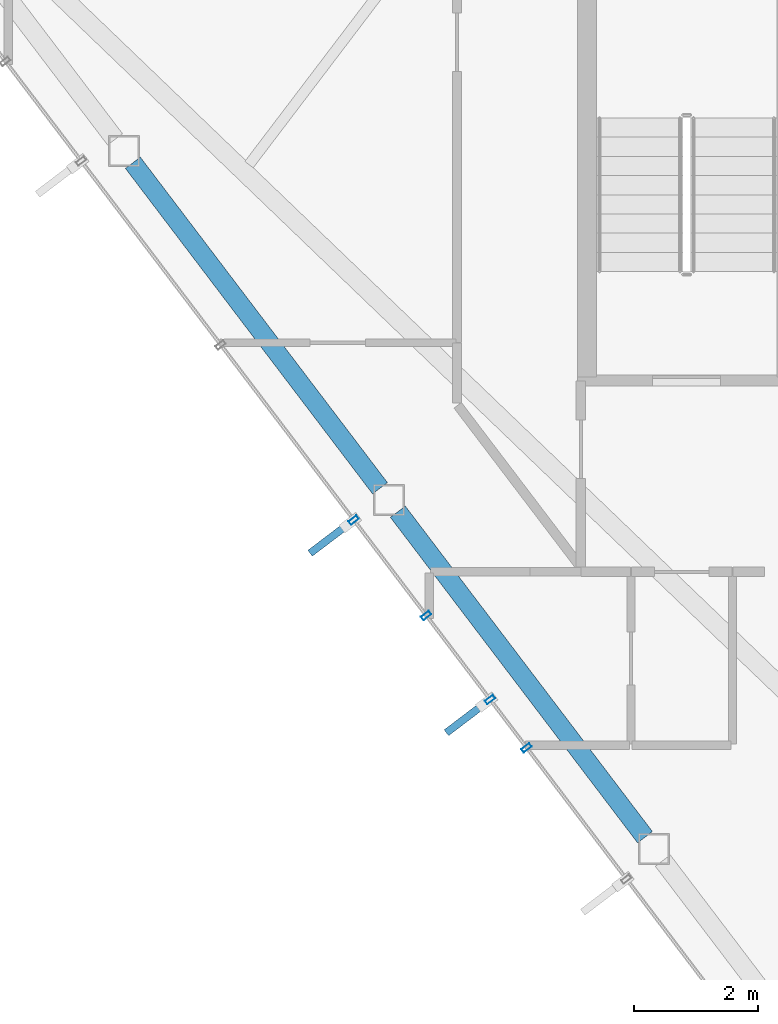
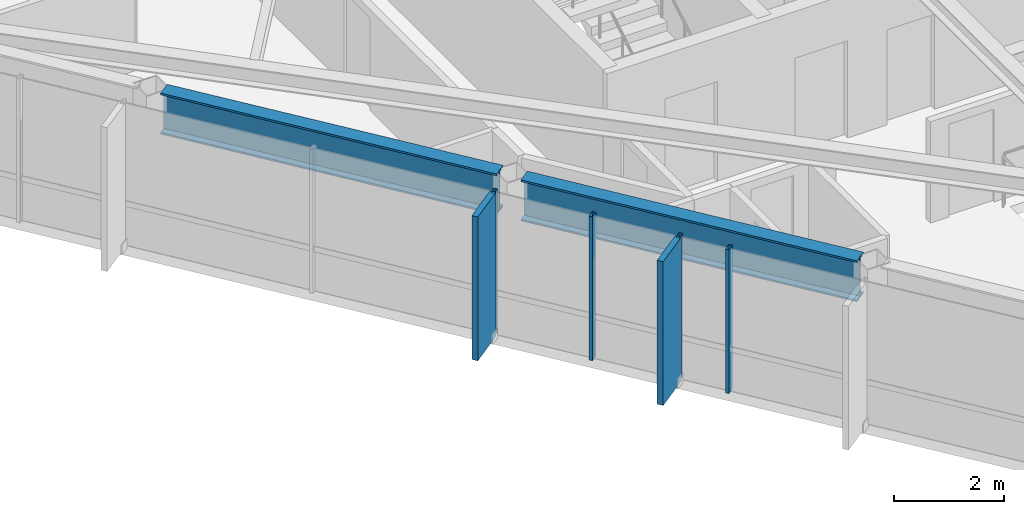
# One storey, part 3 of 24: 6 members, 2 beams, 1 element without a shape of its own.
"""IFC4 building model written with IfcOpenShell, lengths in metres."""

from ifc_helpers import new_model, si_unit, direction, frame, origin, origin_2d, place, context, subcontext, project, spatial, rectangle, hollow_rectangle, i_section, extrude, material, layer, layer_set, material_profile, profile_set, type_object, element, aggregate, save


model = new_model("IFC4")

# Units and contexts
model_context = context("Model", 3, precision=1e-05, world=origin(), true_north=direction((0.0, 1.0)))
body_context = subcontext(model_context, "Body", "Model", "MODEL_VIEW")
ifc_project = project(units=[si_unit("LENGTHUNIT", "METRE"), si_unit("AREAUNIT", "SQUARE_METRE"), si_unit("VOLUMEUNIT", "CUBIC_METRE"), si_unit("PLANEANGLEUNIT", "RADIAN"), si_unit("MASSUNIT", "GRAM", prefix="KILO")], contexts=[model_context])

# Site, building, storey
site_placement = place(None, origin())
site = spatial("IfcSite", under=ifc_project, at=site_placement, CompositionType="ELEMENT")
building_placement = place(site_placement, origin())
building = spatial("IfcBuilding", under=site, at=building_placement, Name="Zarrinselat Tower", CompositionType="ELEMENT")
storey_placement = place(building_placement, frame((0.0, 0.0, 272.0)))
storey = spatial("IfcBuildingStorey", under=building, at=storey_placement, Name="L69", CompositionType="ELEMENT", Elevation=272.0)

# Beams
ifc_material_1 = material(Name="Steel S460M", Category="steel")
ifc_material_profile_1 = material_profile(ifc_material_1, i_section(OverallWidth=0.302001953125, OverallDepth=0.909912109375, WebThickness=0.02099609375, FlangeThickness=0.0400390625, at=origin_2d()), Name="HEM 900")
ifc_profile_set_1 = profile_set([ifc_material_profile_1], Name="Steel S460M")
beam_type = type_object("IfcBeamType", Name="BM-HEM900", PredefinedType="BEAM", material=ifc_profile_set_1)
beam_1_placement = place(storey_placement, frame((21.314697265625, 36.756591796875, 2.72509765625), z_axis=(0.604776578329, -0.796395184757, 0.0), x_axis=(0.796395184757, 0.604776578329, 0.0)))
element("IfcBeam", 1, at=beam_1_placement, inside=storey, type_object=beam_type, Name="L69 Perimeter Spandrel Girder SP07", PredefinedType="BEAM", context=body_context, shape_type="SweptSolid", body=[
    extrude(i_section(OverallWidth=0.302001953125, OverallDepth=0.909912109375, WebThickness=0.02099609375, FlangeThickness=0.0400390625, at=origin_2d()), origin(), (0.0, 0.0, 1.0), 6.60107421875),
])
beam_2_placement = place(storey_placement, frame((25.5947265625, 31.12060546875, 2.72509765625), z_axis=(0.604800035021, -0.796377371375, 0.0), x_axis=(0.796377371375, 0.604800035021, 0.0)))
element("IfcBeam", 2, at=beam_2_placement, inside=storey, type_object=beam_type, Name="L69 Perimeter Spandrel Girder SP08", PredefinedType="BEAM", context=body_context, shape_type="SweptSolid", body=[
    extrude(i_section(OverallWidth=0.302001953125, OverallDepth=0.909912109375, WebThickness=0.02099609375, FlangeThickness=0.0400390625, at=origin_2d()), origin(), (0.0, 0.0, 1.0), 6.601318359375),
])

# Curtain wall, members
ifc_material_2 = material(Name="Extruded Aluminium Alloy EN AW-6063 T6", Category="aluminium")
ifc_layer = layer(ifc_material_2, 0.169921875)
ifc_layer_set = layer_set([ifc_layer], Name="Extruded Aluminium Alloy EN AW-6063 T6")
curtain_wall_type = type_object("IfcCurtainWallType", Name="CWS-RES", PredefinedType="NOTDEFINED", material=ifc_layer_set)
curtain_wall_placement = place(storey_placement, origin())
curtain_wall = element("IfcCurtainWall", 3, at=curtain_wall_placement, inside=storey, type_object=curtain_wall_type, Name="L69 Unitised Curtain Wall CW-L69-E03", PredefinedType="NOTDEFINED")
ifc_material_3 = material(Name="Extruded Aluminium Alloy EN AW-6063 T6", Category="aluminium")
ifc_material_profile_2 = material_profile(ifc_material_3, hollow_rectangle(XDim=0.070068359375, YDim=0.159912109375, WallThickness=0.00390625, at=origin_2d()), Name="RHS 160x70x4")
ifc_profile_set_2 = profile_set([ifc_material_profile_2], Name="Extruded Aluminium Alloy EN AW-6063 T6")
member_type_1 = type_object("IfcMemberType", Name="MEM-CW-MUL2", PredefinedType="MULLION", material=ifc_profile_set_2)
member_1_placement = place(storey_placement, frame((24.8818359375, 30.984619140625, 0.0), z_axis=(0.0, 0.0, 1.0), x_axis=(0.604787567266, -0.796386839721, 0.0)))
member_1 = element("IfcMember", 4, at=member_1_placement, type_object=member_type_1, Name="CW-L69-E03 Mullion 5", PredefinedType="MULLION", context=body_context, shape_type="SweptSolid", body=[
    extrude(hollow_rectangle(XDim=0.070068359375, YDim=0.159912109375, WallThickness=0.00390625, at=origin_2d()), origin(), (0.0, 0.0, 1.0), 3.179931640625),
])
member_2_placement = place(storey_placement, frame((26.05224609375, 29.443603515625, 0.0), z_axis=(0.0, 0.0, 1.0), x_axis=(0.604787567266, -0.796386839721, 0.0)))
member_2 = element("IfcMember", 5, at=member_2_placement, type_object=member_type_1, Name="CW-L69-E03 Mullion 6", PredefinedType="MULLION", context=body_context, shape_type="SweptSolid", body=[
    extrude(hollow_rectangle(XDim=0.070068359375, YDim=0.159912109375, WallThickness=0.00390625, at=origin_2d()), origin(), (0.0, 0.0, 1.0), 3.179931640625),
])
member_3_placement = place(storey_placement, frame((27.08349609375, 28.08544921875, 0.0), z_axis=(0.0, 0.0, 1.0), x_axis=(0.604787567266, -0.796386839721, 0.0)))
member_3 = element("IfcMember", 6, at=member_3_placement, type_object=member_type_1, Name="CW-L69-E03 Mullion 7", PredefinedType="MULLION", context=body_context, shape_type="SweptSolid", body=[
    extrude(hollow_rectangle(XDim=0.070068359375, YDim=0.159912109375, WallThickness=0.00390625, at=origin_2d()), origin(), (0.0, 0.0, 1.0), 3.179931640625),
])
member_4_placement = place(storey_placement, frame((27.67431640625, 27.3076171875, 0.0), z_axis=(0.0, 0.0, 1.0), x_axis=(0.604787567266, -0.796386839721, 0.0)))
member_4 = element("IfcMember", 7, at=member_4_placement, type_object=member_type_1, Name="CW-L69-E03 Mullion 8", PredefinedType="MULLION", context=body_context, shape_type="SweptSolid", body=[
    extrude(hollow_rectangle(XDim=0.070068359375, YDim=0.159912109375, WallThickness=0.00390625, at=origin_2d()), origin(), (0.0, 0.0, 1.0), 3.179931640625),
])
ifc_material_4 = material(Name="Honed Cream Travertine Stone", Category="masonry")
ifc_material_profile_3 = material_profile(ifc_material_4, rectangle(XDim=0.1201171875, YDim=0.85009765625, at=origin_2d()), Name="FIN 850x120")
ifc_profile_set_3 = profile_set([ifc_material_profile_3], Name="Honed Cream Travertine Stone")
member_type_2 = type_object("IfcMemberType", Name="MEM-STONE-FIN", PredefinedType="USERDEFINED", material=ifc_profile_set_3)
member_5_placement = place(storey_placement, frame((24.515380859375, 30.70654296875, 0.0), z_axis=(0.0, 0.0, 1.0), x_axis=(-0.604787567266, 0.796386839721, 0.0)))
member_5 = element("IfcMember", 8, at=member_5_placement, type_object=member_type_2, Name="L69 Stone Shading Fin CW-L69-E03-05", ObjectType="FIN", PredefinedType="USERDEFINED", context=body_context, shape_type="SweptSolid", body=[
    extrude(rectangle(XDim=0.1201171875, YDim=0.85009765625, at=origin_2d()), origin(), (0.0, 0.0, 1.0), 3.179931640625),
])
member_6_placement = place(storey_placement, frame((26.71728515625, 27.807373046875, 0.0), z_axis=(0.0, 0.0, 1.0), x_axis=(-0.604787567266, 0.796386839721, 0.0)))
member_6 = element("IfcMember", 9, at=member_6_placement, type_object=member_type_2, Name="L69 Stone Shading Fin CW-L69-E03-07", ObjectType="FIN", PredefinedType="USERDEFINED", context=body_context, shape_type="SweptSolid", body=[
    extrude(rectangle(XDim=0.1201171875, YDim=0.85009765625, at=origin_2d()), origin(), (0.0, 0.0, 1.0), 3.179931640625),
])
aggregate(curtain_wall, [member_1, member_5, member_2, member_3, member_6, member_4])

save(model, "model.ifc")
